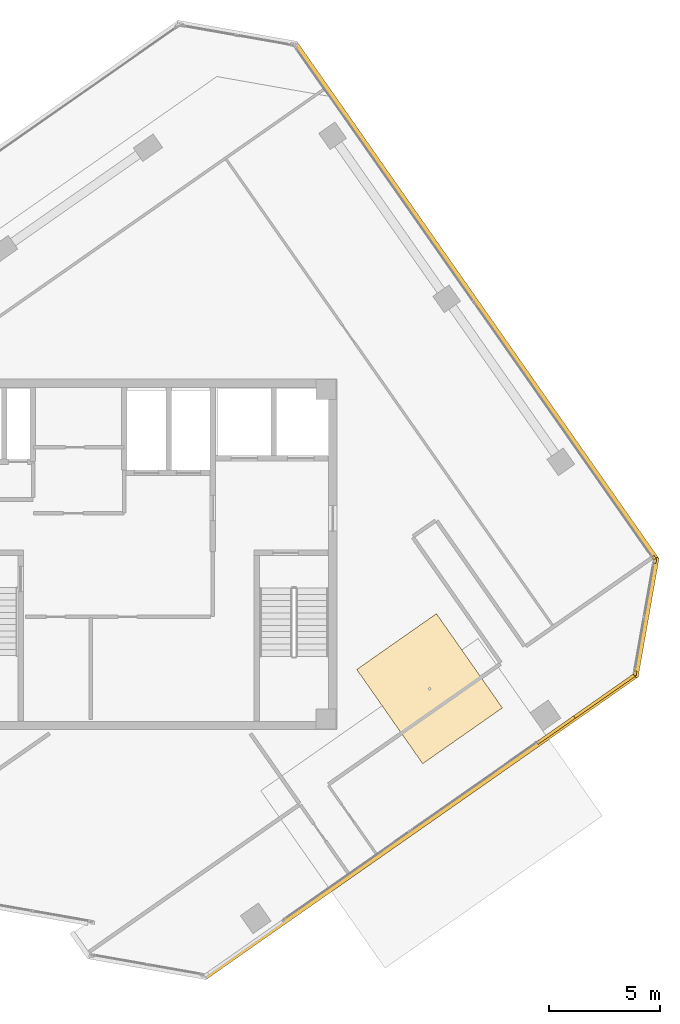
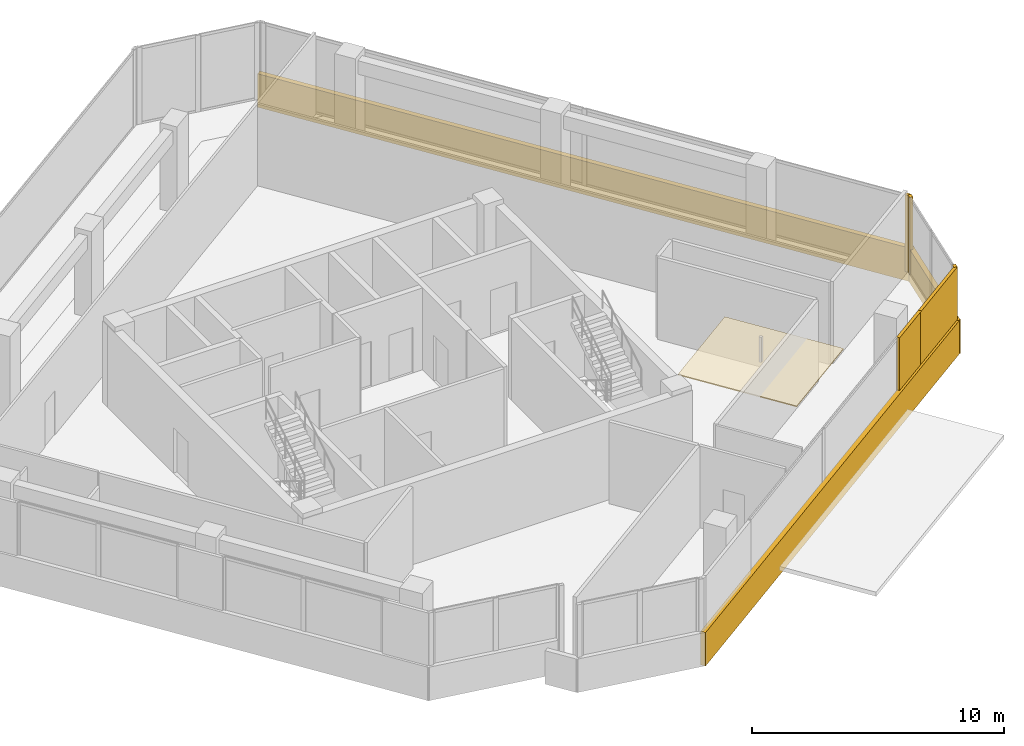
# One storey, part 16 of 17: 9 coverings.
"""IFC4 building model written with IfcOpenShell, lengths in metres."""

from ifc_helpers import new_model, si_unit, direction, frame, origin, origin_2d, place, context, subcontext, project, spatial, polyline, rectangle, outline, extrude, source, transform, mapped, material, layer, layer_set, type_object, element, save


model = new_model("IFC4")

# Units and contexts
model_context = context("Model", 3, precision=1e-05, world=origin(), true_north=direction((0.0, 1.0)))
body_context = subcontext(model_context, "Body", "Model", "MODEL_VIEW")
ifc_project = project(units=[si_unit("LENGTHUNIT", "METRE"), si_unit("AREAUNIT", "SQUARE_METRE"), si_unit("VOLUMEUNIT", "CUBIC_METRE"), si_unit("PLANEANGLEUNIT", "RADIAN"), si_unit("MASSUNIT", "GRAM", prefix="KILO")], contexts=[model_context])

# Site, building, storey
site_placement = place(None, origin())
site = spatial("IfcSite", under=ifc_project, at=site_placement, CompositionType="ELEMENT")
building_placement = place(site_placement, origin())
building = spatial("IfcBuilding", under=site, at=building_placement, Name="Torre Montelarca", CompositionType="ELEMENT")
storey_placement = place(building_placement, frame((0.0, 0.0, 298.800048828125)))
storey = spatial("IfcBuildingStorey", under=building, at=storey_placement, Name="L67", CompositionType="ELEMENT", Elevation=298.800048828125)

# Coverings
ifc_material_1 = material(Name="Micro-perforated walnut timber acoustic slat", Category="wood")
ifc_layer_1 = layer(ifc_material_1, 0.050048828125, Name="Micro-perforated walnut timber acoustic slat", Category="wood")
ifc_layer_set_1 = layer_set([ifc_layer_1], Name="Micro-perforated walnut timber acoustic slat")
covering_type_1 = type_object("IfcCoveringType", Name="COV-CEIL-WD2", PredefinedType="CEILING", material=ifc_layer_set_1)
covering_1_placement = place(storey_placement, frame((0.0, 0.0, 2.719970703125)))
element("IfcCovering", 1, at=covering_1_placement, inside=storey, type_object=covering_type_1, Name="L67 Acoustic Suspended Ceiling 01", PredefinedType="CEILING", context=body_context, shape_type="SweptSolid", body=[
    extrude(outline(polyline([(27.83349609375, 26.79052734375), (30.81591796875, 22.531005859375), (34.42041015625, 25.0546875), (31.437744140625, 29.314208984375), (27.83349609375, 26.79052734375)])), origin(), (0.0, 0.0, 1.0), 0.050048828125),
])
ifc_material_2 = material(Name="Bush-hammered warm white precast concrete C45/55", Category="concrete")
ifc_layer_2 = layer(ifc_material_2, 0.139892578125, Name="Bush-hammered warm white precast concrete C45/55", Category="concrete")
ifc_layer_set_2 = layer_set([ifc_layer_2], Name="Bush-hammered warm white precast concrete C45/55")
covering_type_2 = type_object("IfcCoveringType", Name="COV-TRAY-CLAD", PredefinedType="CLADDING", material=ifc_layer_set_2)
shared_shape_1 = source(origin(), body_context, "Body", "SweptSolid", [
    extrude(rectangle(XDim=0.199951171875, YDim=0.139892578125, at=origin_2d()), origin(), (0.0, 0.0, 1.0), 3.719970703125),
])
for number, where, z_axis, x_axis, name in (
    (2, (40.422119140625, 26.627197265625, 0.0), (0.0, 0.0, 1.0), (0.173625833043, 0.984811692711, 0.0), "L67 Architectural Column Pier Cladding E07-1"),
    (3, (41.31494140625, 31.69140625, 0.0), (0.0, 0.0, 1.0), (0.173625833043, 0.984811692711, 0.0), "L67 Architectural Column Pier Cladding E07-2"),
    (4, (41.283447265625, 31.8330078125, 0.0), (0.0, 0.0, 1.0), (-0.573573576968, 0.819154046443, 0.0), "L67 Architectural Column Pier Cladding E08-1"),
):
    element("IfcCovering", number, at=place(storey_placement, frame(where, z_axis=z_axis, x_axis=x_axis)), inside=storey, type_object=covering_type_2, Name=name, PredefinedType="CLADDING", context=body_context, shape_type="MappedRepresentation", body=[
        mapped(shared_shape_1, transform((0.0, 0.0, 0.0), scale=1.0)),
    ])
shared_shape_2 = source(origin(), body_context, "Body", "SweptSolid", [
    extrude(rectangle(XDim=2.06005859375, YDim=0.139892578125, at=origin_2d()), origin(), (0.0, 0.0, 1.0), 3.719970703125),
])
covering_2_placement = place(storey_placement, frame((36.834716796875, 24.04736328125, 0.0), z_axis=(0.0, 0.0, 1.0), x_axis=(0.819156048588, 0.573570717577, 0.0)))
element("IfcCovering", 5, at=covering_2_placement, inside=storey, type_object=covering_type_2, Name="L67 Architectural Column Pier Cladding E06-3", PredefinedType="CLADDING", context=body_context, shape_type="MappedRepresentation", body=[
    mapped(shared_shape_2, transform((0.0, 0.0, 0.0), scale=1.0)),
])
shared_shape_3 = source(origin(), body_context, "Body", "SweptSolid", [
    extrude(rectangle(XDim=5.493896484375, YDim=0.219970703125, at=origin_2d()), origin(), (0.0, 0.0, 1.0), 1.6201171875),
])
covering_3_placement = place(storey_placement, frame((40.927490234375, 29.148681640625, -0.4501953125), z_axis=(0.0, 0.0, 1.0), x_axis=(0.173630989503, 0.984810783595, 0.0)))
element("IfcCovering", 6, at=covering_3_placement, inside=storey, type_object=covering_type_2, Name="L67 Architectural White Spandrel Tray Band TRYBOT-07", PredefinedType="CLADDING", context=body_context, shape_type="MappedRepresentation", body=[
    mapped(shared_shape_3, transform((0.0, 0.0, 0.0), scale=1.0)),
])
shared_shape_4 = source(origin(), body_context, "Body", "SweptSolid", [
    extrude(rectangle(XDim=28.6201171875, YDim=0.219970703125, at=origin_2d()), origin(), (0.0, 0.0, 1.0), 1.6201171875),
])
covering_4_placement = place(storey_placement, frame((33.2255859375, 43.445556640625, -0.4501953125), z_axis=(0.0, 0.0, 1.0), x_axis=(-0.573576436351, 0.819152044289, 0.0)))
element("IfcCovering", 7, at=covering_4_placement, inside=storey, type_object=covering_type_2, Name="L67 Architectural White Spandrel Tray Band TRYBOT-08", PredefinedType="CLADDING", context=body_context, shape_type="MappedRepresentation", body=[
    mapped(shared_shape_4, transform((0.0, 0.0, 0.0), scale=1.0)),
])
shared_shape_5 = source(origin(), body_context, "Body", "SweptSolid", [
    extrude(rectangle(XDim=3.4541015625, YDim=0.139892578125, at=origin_2d()), origin(), (0.0, 0.0, 1.0), 3.719970703125),
])
covering_5_placement = place(storey_placement, frame((39.01123046875, 25.5712890625, 0.0), z_axis=(0.0, 0.0, 1.0), x_axis=(0.819156048588, 0.573570717577, 0.0)))
element("IfcCovering", 8, at=covering_5_placement, inside=storey, type_object=covering_type_2, Name="L67 Architectural Column Pier Cladding E06-4", PredefinedType="CLADDING", context=body_context, shape_type="MappedRepresentation", body=[
    mapped(shared_shape_5, transform((0.0, 0.0, 0.0), scale=1.0)),
])
shared_shape_6 = source(origin(), body_context, "Body", "SweptSolid", [
    extrude(rectangle(XDim=23.920166015625, YDim=0.219970703125, at=origin_2d()), origin(), (0.0, 0.0, 1.0), 1.6201171875),
])
covering_6_placement = place(storey_placement, frame((30.725341796875, 19.6962890625, -0.4501953125), z_axis=(0.0, 0.0, 1.0), x_axis=(0.819154046443, 0.573573576968, 0.0)))
element("IfcCovering", 9, at=covering_6_placement, inside=storey, type_object=covering_type_2, Name="L67 Architectural White Spandrel Tray Band TRYBOT-06", PredefinedType="CLADDING", context=body_context, shape_type="MappedRepresentation", body=[
    mapped(shared_shape_6, transform((0.0, 0.0, 0.0), scale=1.0)),
])

save(model, "model.ifc")
